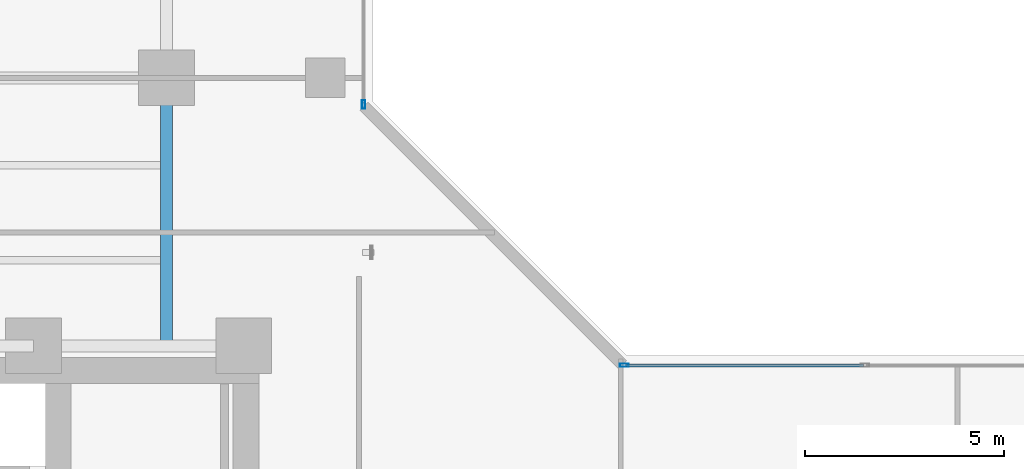
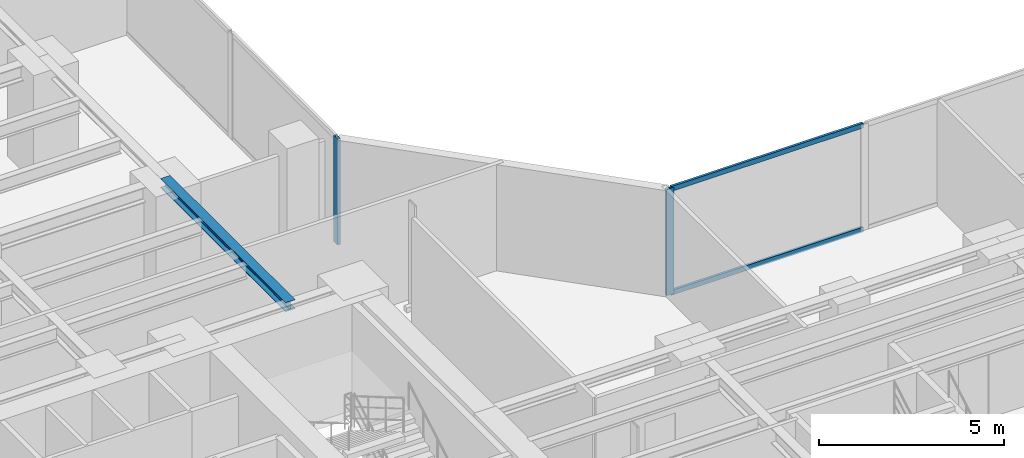
# One storey, part 9 of 25: 4 members, 1 beam, 2 elements without a shape of their own.
"""IFC4 building model written with IfcOpenShell, lengths in metres."""

from ifc_helpers import new_model, si_unit, direction, frame, origin, origin_with_axes, origin_2d, place, context, subcontext, project, spatial, hollow_rectangle, i_section, extrude, source, transform, mapped, material, layer, layer_set, material_profile, profile_set, type_object, element, aggregate, save


model = new_model("IFC4")

# Units and contexts
model_context = context("Model", 3, precision=1e-05, world=origin(), true_north=direction((0.0, 1.0)))
body_context = subcontext(model_context, "Body", "Model", "MODEL_VIEW")
ifc_project = project(units=[si_unit("LENGTHUNIT", "METRE"), si_unit("AREAUNIT", "SQUARE_METRE"), si_unit("VOLUMEUNIT", "CUBIC_METRE"), si_unit("PLANEANGLEUNIT", "RADIAN"), si_unit("MASSUNIT", "GRAM", prefix="KILO")], contexts=[model_context])

# Site, building, storey
site_placement = place(None, origin())
site = spatial("IfcSite", under=ifc_project, at=site_placement, CompositionType="ELEMENT")
building_placement = place(site_placement, origin())
building = spatial("IfcBuilding", under=site, at=building_placement, Name="Kolvaren Waterfront Exchange", CompositionType="ELEMENT")
storey_placement = place(building_placement, frame((0.0, 0.0, 106.89990234375)))
storey = spatial("IfcBuildingStorey", under=building, at=storey_placement, Name="L27", CompositionType="ELEMENT", Elevation=106.89990234375)

# Beam
ifc_material_1 = material(Name="Steel S355", Category="steel")
ifc_material_profile_1 = material_profile(ifc_material_1, i_section(OverallWidth=0.300048828125, OverallDepth=0.300048828125, WebThickness=0.010986328125, FlangeThickness=0.01904296875, FilletRadius=0.027099609375, at=origin_2d()), Name="HEB300")
ifc_profile_set_1 = profile_set([ifc_material_profile_1], Name="Steel S355")
beam_type = type_object("IfcBeamType", Name="STR-BM-HEB300", PredefinedType="SPANDREL", material=ifc_profile_set_1)
beam_placement = place(storey_placement, frame((18.800048828125, 24.449951171875, 3.35009765625), z_axis=(0.0, 1.0, 0.0), x_axis=(-1.0, 0.0, 0.0)))
element("IfcBeam", 1, at=beam_placement, inside=storey, type_object=beam_type, Name="L27 north-arm edge beam 1", PredefinedType="SPANDREL", context=body_context, shape_type="SweptSolid", body=[
    extrude(i_section(OverallWidth=0.300048828125, OverallDepth=0.300048828125, WebThickness=0.010986328125, FlangeThickness=0.01904296875, FilletRadius=0.027099609375, at=origin_2d()), origin(), (0.0, 0.0, 1.0), 6.75),
])

# Curtain wall, members
ifc_material_2 = material(Name="Anodised bronze aluminium 6063-T6", Category="aluminium")
ifc_layer = layer(ifc_material_2, 0.219970703125, Name="Anodised bronze aluminium 6063-T6")
ifc_layer_set = layer_set([ifc_layer], Name="Anodised bronze aluminium 6063-T6")
curtain_wall_type = type_object("IfcCurtainWallType", Name="ARC-CW-SYS1", PredefinedType="USERDEFINED", material=ifc_layer_set)
curtain_wall_1_placement = place(storey_placement, origin())
curtain_wall_1 = element("IfcCurtainWall", 2, at=curtain_wall_1_placement, inside=storey, type_object=curtain_wall_type, Name="L27 stick curtain wall CW1 (CW-L27-EN)", ObjectType="STICK CURTAIN WALL", PredefinedType="USERDEFINED")
ifc_material_3 = material(Name="Anodised aluminium 6063-T6", Category="aluminium")
ifc_material_profile_2 = material_profile(ifc_material_3, hollow_rectangle(XDim=0.074951171875, YDim=0.159912109375, WallThickness=0.00439453125, at=origin_2d()), Name="ALU-TRN-160x75x4.5")
ifc_profile_set_2 = profile_set([ifc_material_profile_2], Name="Anodised aluminium 6063-T6")
member_type_1 = type_object("IfcMemberType", Name="ARC-CWT-160", PredefinedType="USERDEFINED", material=ifc_profile_set_2)
shared_shape_1 = source(origin_with_axes(), body_context, "Body", "SweptSolid", [
    extrude(hollow_rectangle(XDim=0.074951171875, YDim=0.159912109375, WallThickness=0.00439453125, at=origin_2d()), origin(), (0.0, 0.0, 1.0), 5.982421875),
])
member_1_placement = place(storey_placement, frame((30.3701171875, 23.9599609375, 0.03759765625), z_axis=(1.0, 0.0, 0.0), x_axis=(0.0, 1.0, 0.0)))
member_1 = element("IfcMember", 3, at=member_1_placement, type_object=member_type_1, Name="CW1 transom 1.1", ObjectType="TRANSOM", PredefinedType="USERDEFINED", context=body_context, shape_type="MappedRepresentation", body=[
    mapped(shared_shape_1, transform((0.0, 0.0, 0.0), x_axis=(1.0, 0.0, 0.0), y_axis=(0.0, 1.0, 0.0), z_axis=(0.0, 0.0, 1.0), scale=1.0)),
])
member_2_placement = place(storey_placement, frame((30.3701171875, 23.9599609375, 3.462646484375), z_axis=(1.0, 0.0, 0.0), x_axis=(0.0, 1.0, 0.0)))
member_2 = element("IfcMember", 4, at=member_2_placement, type_object=member_type_1, Name="CW1 transom 1.2", ObjectType="TRANSOM", PredefinedType="USERDEFINED", context=body_context, shape_type="MappedRepresentation", body=[
    mapped(shared_shape_1, transform((0.0, 0.0, 0.0), x_axis=(1.0, 0.0, 0.0), y_axis=(0.0, 1.0, 0.0), z_axis=(0.0, 0.0, 1.0), scale=1.0)),
])

# Curtain wall, member
curtain_wall_2_placement = place(storey_placement, origin())
curtain_wall_2 = element("IfcCurtainWall", 5, at=curtain_wall_2_placement, inside=storey, type_object=curtain_wall_type, Name="L27 stick curtain wall CW1 (CW-L27-NE)", ObjectType="STICK CURTAIN WALL", PredefinedType="USERDEFINED")
ifc_material_profile_3 = material_profile(ifc_material_3, hollow_rectangle(XDim=0.080078125, YDim=0.219970703125, WallThickness=0.0048828125, at=origin_2d()), Name="ALU-MUL-220x80x5")
ifc_profile_set_3 = profile_set([ifc_material_profile_3], Name="Anodised aluminium 6063-T6")
member_type_2 = type_object("IfcMemberType", Name="ARC-CWM-220", PredefinedType="MULLION", material=ifc_profile_set_3)
shared_shape_2 = source(origin_with_axes(), body_context, "Body", "SweptSolid", [
    extrude(hollow_rectangle(XDim=0.080078125, YDim=0.219970703125, WallThickness=0.0048828125, at=origin_2d()), origin(), (0.0, 0.0, 1.0), 3.5),
])
member_3_placement = place(storey_placement, frame((23.760009765625, 30.530029296875, 0.0), z_axis=(0.0, 0.0, 1.0), x_axis=(-1.0, 0.0, 0.0)))
member_3 = element("IfcMember", 6, at=member_3_placement, type_object=member_type_2, Name="CW1 mullion 1", PredefinedType="MULLION", context=body_context, shape_type="MappedRepresentation", body=[
    mapped(shared_shape_2, transform((0.0, 0.0, 0.0), x_axis=(1.0, 0.0, 0.0), y_axis=(0.0, 1.0, 0.0), z_axis=(0.0, 0.0, 1.0), scale=1.0)),
])
aggregate(curtain_wall_2, [member_3])

# Member
member_4_placement = place(storey_placement, frame((30.330078125, 23.9599609375, 0.0), z_axis=(0.0, 0.0, 1.0), x_axis=(0.0, 1.0, 0.0)))
member_4 = element("IfcMember", 7, at=member_4_placement, type_object=member_type_2, Name="CW1 mullion 1", PredefinedType="MULLION", context=body_context, shape_type="MappedRepresentation", body=[
    mapped(shared_shape_2, transform((0.0, 0.0, 0.0), x_axis=(1.0, 0.0, 0.0), y_axis=(0.0, 1.0, 0.0), z_axis=(0.0, 0.0, 1.0), scale=1.0)),
])

aggregate(curtain_wall_1, [member_4, member_1, member_2])

save(model, "model.ifc")
